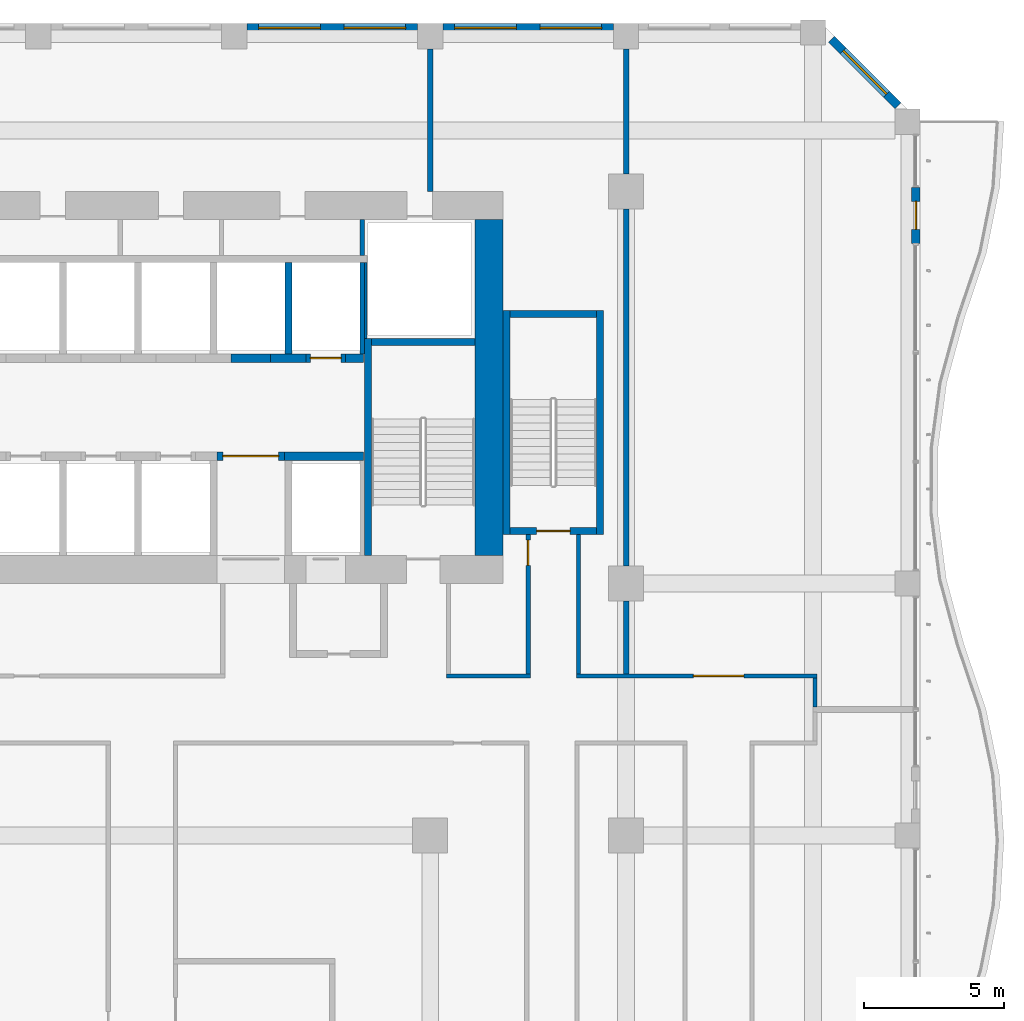
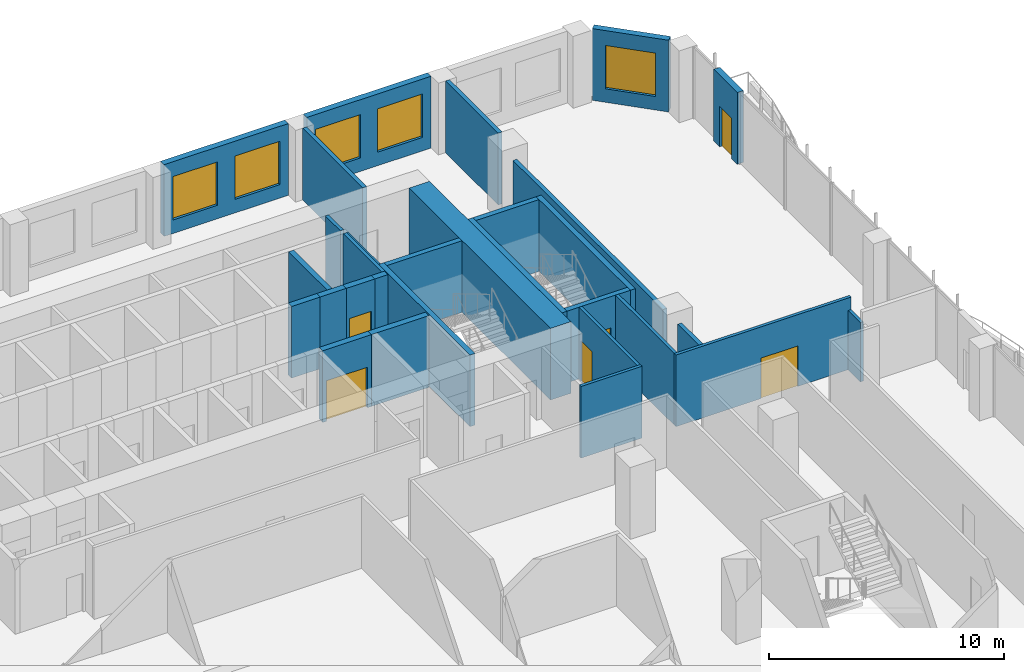
# One storey, part 16 of 26: 30 walls, 6 doors, 5 windows, 11 openings.
"""IFC4 building model written with IfcOpenShell, lengths in metres."""

from ifc_helpers import new_model, si_unit, direction, frame, frame_2d, origin, place, context, subcontext, project, spatial, rectangle, extrude, source, transform, mapped, material, layer, layer_set, type_object, element, fill, save


model = new_model("IFC4")

# Units and contexts
model_context = context("Model", 3, precision=1e-05, world=origin(), true_north=direction((0.0, 1.0)))
body_context = subcontext(model_context, "Body", "Model", "MODEL_VIEW")
ifc_project = project(units=[si_unit("LENGTHUNIT", "METRE"), si_unit("AREAUNIT", "SQUARE_METRE"), si_unit("VOLUMEUNIT", "CUBIC_METRE"), si_unit("PLANEANGLEUNIT", "RADIAN"), si_unit("MASSUNIT", "GRAM", prefix="KILO")], contexts=[model_context])

# Site, building, storey
site_placement = place(None, origin())
site = spatial("IfcSite", under=ifc_project, at=site_placement, CompositionType="ELEMENT")
building_placement = place(site_placement, origin())
building = spatial("IfcBuilding", under=site, at=building_placement, Name="Kilnfold Tower and Market Hall", CompositionType="ELEMENT")
storey_placement = place(building_placement, frame((0.0, 0.0, 83.199951171875)))
storey = spatial("IfcBuildingStorey", under=building, at=storey_placement, Name="L19", CompositionType="ELEMENT", Elevation=83.199951171875)

# Wall
ifc_material_1 = material(Name="Gypsum board on steel studs", Category="steel")
ifc_layer_1 = layer(ifc_material_1, 0.14990234375)
ifc_layer_set_1 = layer_set([ifc_layer_1], Name="Gypsum board on steel studs")
wall_type_1 = type_object("IfcWallType", Name="WALL CORRIDOR 150", PredefinedType="PARTITIONING", material=ifc_layer_set_1)
wall_1_placement = place(storey_placement, frame((16.074951171875, 4.699951171875, 0.0), z_axis=(0.0, 0.0, 1.0), x_axis=(1.0, 0.0, 0.0)))
element("IfcWall", 1, at=wall_1_placement, inside=storey, type_object=wall_type_1, Name="Partition LY13.26", PredefinedType="PARTITIONING", context=body_context, shape_type="SweptSolid", body=[
    extrude(rectangle(XDim=3.0, YDim=0.14990234375, at=frame_2d((1.5, 0.0))), origin(), (0.0, 0.0, 1.0), 3.719970703125),
])

# Wall, opening, door
wall_2_placement = place(storey_placement, frame((19.0, 9.75, 0.0), z_axis=(0.0, 0.0, 1.0), x_axis=(0.0, -1.0, 0.0)))
wall_2 = element("IfcWall", 2, at=wall_2_placement, inside=storey, type_object=wall_type_1, Name="Partition LY13.27", PredefinedType="PARTITIONING", context=body_context, shape_type="SweptSolid", body=[
    extrude(rectangle(XDim=4.97509765625, YDim=0.14990234375, at=frame_2d((2.487548828125, 0.0))), origin(), (0.0, 0.0, 1.0), 3.719970703125),
])
opening_1_placement = place(wall_2_placement, frame((0.199951171875, 0.0, 0.0)))
opening_1 = element("IfcOpeningElement", 3, at=opening_1_placement, cuts=wall_2, Name="Opening D2", PredefinedType="OPENING", context=body_context, shape_type="SweptSolid", body=[
    extrude(rectangle(XDim=0.89990234375, YDim=2.10009765625, at=frame_2d((0.449951171875, 1.050048828125))), frame((0.0, 0.0849609375, 0.0), z_axis=(0.0, -1.0, 0.0), x_axis=(1.0, 0.0, 0.0)), (0.0, 0.0, 1.0), 0.169921875),
])
ifc_material_2 = material(Name="Timber veneer door leaf in steel frame", Category="steel")
door_type_1 = type_object("IfcDoorType", Name="DOOR ROOM 900 X2100", OperationType="NOTDEFINED", PredefinedType="DOOR", material=ifc_material_2)
door_1_placement = place(opening_1_placement, origin())
door_1 = element("IfcDoor", 4, at=door_1_placement, inside=storey, type_object=door_type_1, Name="Door D2", OperationType="SINGLE_SWING_LEFT", OverallHeight=2.10009765625, OverallWidth=0.89990234375, PredefinedType="DOOR", context=body_context, shape_type="SweptSolid", body=[
    extrude(rectangle(XDim=0.89990234375, YDim=2.10009765625, at=frame_2d((0.449951171875, 1.050048828125))), frame((0.0, 0.02490234375, 0.0), z_axis=(0.0, -1.0, 0.0), x_axis=(1.0, 0.0, 0.0)), (0.0, 0.0, 1.0), 0.050048828125),
])
fill(opening_1, door_1)

# Wall
wall_3_placement = place(storey_placement, frame((20.800048828125, 4.77490234375, 0.0), z_axis=(0.0, 0.0, 1.0), x_axis=(0.0, 1.0, 0.0)))
element("IfcWall", 5, at=wall_3_placement, inside=storey, type_object=wall_type_1, Name="Partition LY13.28", PredefinedType="PARTITIONING", context=body_context, shape_type="SweptSolid", body=[
    extrude(rectangle(XDim=4.97509765625, YDim=0.14990234375, at=frame_2d((2.487548828125, 0.0))), origin(), (0.0, 0.0, 1.0), 3.719970703125),
])

# Wall, opening, door
wall_4_placement = place(storey_placement, frame((20.72509765625, 4.699951171875, 0.0), z_axis=(0.0, 0.0, 1.0), x_axis=(1.0, 0.0, 0.0)))
wall_4 = element("IfcWall", 6, at=wall_4_placement, inside=storey, type_object=wall_type_1, Name="Partition LY13.29", PredefinedType="PARTITIONING", context=body_context, shape_type="SweptSolid", body=[
    extrude(rectangle(XDim=8.599853515625, YDim=0.14990234375, at=frame_2d((4.2998046875, 0.0))), origin(), (0.0, 0.0, 1.0), 3.719970703125),
])
opening_2_placement = place(wall_4_placement, frame((4.181884765625, 0.0, 0.0)))
opening_2 = element("IfcOpeningElement", 7, at=opening_2_placement, cuts=wall_4, Name="Opening D5", PredefinedType="OPENING", context=body_context, shape_type="SweptSolid", body=[
    extrude(rectangle(XDim=1.800048828125, YDim=2.10009765625, at=frame_2d((0.89990234375, 1.050048828125))), frame((0.0, 0.0849609375, 0.0), z_axis=(0.0, -1.0, 0.0), x_axis=(1.0, 0.0, 0.0)), (0.0, 0.0, 1.0), 0.169921875),
])
ifc_material_3 = material(Name="Timber veneer door leaf in steel frame", Category="steel")
door_type_2 = type_object("IfcDoorType", Name="DOOR DOUBLE 1800 X2100", OperationType="NOTDEFINED", PredefinedType="DOOR", material=ifc_material_3)
door_2_placement = place(opening_2_placement, origin())
door_2 = element("IfcDoor", 8, at=door_2_placement, inside=storey, type_object=door_type_2, Name="Door D5", OperationType="DOUBLE_DOOR_SINGLE_SWING", OverallHeight=2.10009765625, OverallWidth=1.800048828125, PredefinedType="DOOR", context=body_context, shape_type="SweptSolid", body=[
    extrude(rectangle(XDim=1.800048828125, YDim=2.10009765625, at=frame_2d((0.89990234375, 1.050048828125))), frame((0.0, 0.02490234375, 0.0), z_axis=(0.0, -1.0, 0.0), x_axis=(1.0, 0.0, 0.0)), (0.0, 0.0, 1.0), 0.050048828125),
])
fill(opening_2, door_2)

# Walls
wall_5_placement = place(storey_placement, frame((29.25, 3.590087890625, 0.0), z_axis=(0.0, 0.0, 1.0), x_axis=(0.0, 1.0, 0.0)))
element("IfcWall", 9, at=wall_5_placement, inside=storey, type_object=wall_type_1, Name="Partition LY13.30", PredefinedType="PARTITIONING", context=body_context, shape_type="SweptSolid", body=[
    extrude(rectangle(XDim=1.034912109375, YDim=0.14990234375, at=frame_2d((0.517578125, 0.0))), origin(), (0.0, 0.0, 1.0), 3.070068359375),
])
ifc_material_4 = material(Name="Gypsum board on steel studs", Category="steel")
ifc_layer_2 = layer(ifc_material_4, 0.199951171875)
ifc_layer_set_2 = layer_set([ifc_layer_2], Name="Gypsum board on steel studs")
wall_type_2 = type_object("IfcWallType", Name="WALL PARTY 200", PredefinedType="PARTITIONING", material=ifc_layer_set_2)
wall_6_placement = place(storey_placement, frame((15.5, 22.0, 0.0), z_axis=(0.0, 0.0, 1.0), x_axis=(0.0, 1.0, 0.0)))
element("IfcWall", 10, at=wall_6_placement, inside=storey, type_object=wall_type_2, Name="Partition LY13.42", PredefinedType="PARTITIONING", context=body_context, shape_type="SweptSolid", body=[
    extrude(rectangle(XDim=5.10009765625, YDim=0.199951171875, at=frame_2d((2.550048828125, 0.0))), origin(), (0.0, 0.0, 1.0), 3.719970703125),
])
wall_7_placement = place(storey_placement, frame((22.5, 22.625, 0.0), z_axis=(0.0, 0.0, 1.0), x_axis=(0.0, 1.0, 0.0)))
element("IfcWall", 11, at=wall_7_placement, inside=storey, type_object=wall_type_2, Name="Partition LY13.57", PredefinedType="PARTITIONING", context=body_context, shape_type="SweptSolid", body=[
    extrude(rectangle(XDim=4.47509765625, YDim=0.199951171875, at=frame_2d((2.237548828125, 0.0))), origin(), (0.0, 0.0, 1.0), 3.719970703125),
])
wall_8_placement = place(storey_placement, frame((22.5, 8.625, 0.0), z_axis=(0.0, 0.0, 1.0), x_axis=(0.0, 1.0, 0.0)))
element("IfcWall", 12, at=wall_8_placement, inside=storey, type_object=wall_type_2, Name="Partition LY13.58", PredefinedType="PARTITIONING", context=body_context, shape_type="SweptSolid", body=[
    extrude(rectangle(XDim=12.75, YDim=0.199951171875, at=frame_2d((6.375, 0.0))), origin(), (0.0, 0.0, 1.0), 3.070068359375),
])
wall_9_placement = place(storey_placement, frame((22.5, 4.77587890625, 0.0), z_axis=(0.0, 0.0, 1.0), x_axis=(0.0, 1.0, 0.0)))
element("IfcWall", 13, at=wall_9_placement, inside=storey, type_object=wall_type_2, Name="Partition LY13.59", PredefinedType="PARTITIONING", context=body_context, shape_type="SweptSolid", body=[
    extrude(rectangle(XDim=2.59912109375, YDim=0.199951171875, at=frame_2d((1.299560546875, 0.0))), origin(), (0.0, 0.0, 1.0), 3.070068359375),
])
ifc_material_5 = material(Name="Concrete C80", Category="concrete")
ifc_layer_3 = layer(ifc_material_5, 1.0)
ifc_layer_set_3 = layer_set([ifc_layer_3], Name="Concrete C80")
wall_type_3 = type_object("IfcWallType", Name="CORE WALL 1000 C80", PredefinedType="SHEAR", material=ifc_layer_set_3)
shared_shape_1 = source(origin(), body_context, "Body", "SweptSolid", [
    extrude(rectangle(XDim=12.0, YDim=1.0, at=frame_2d((6.0, 0.0))), origin(), (0.0, 0.0, 1.0), 3.719970703125),
])
wall_10_placement = place(storey_placement, frame((17.60009765625, 9.0, 0.0), z_axis=(0.0, 0.0, 1.0), x_axis=(0.0, 1.0, 0.0)))
element("IfcWall", 14, at=wall_10_placement, inside=storey, type_object=wall_type_3, Name="Core outer wall east", PredefinedType="SHEAR", context=body_context, shape_type="MappedRepresentation", body=[
    mapped(shared_shape_1, transform((0.0, 0.0, 0.0))),
])
ifc_material_6 = material(Name="Concrete C80", Category="concrete")
ifc_layer_4 = layer(ifc_material_6, 0.25)
ifc_layer_set_4 = layer_set([ifc_layer_4], Name="Concrete C80")
wall_type_4 = type_object("IfcWallType", Name="CORE WALL 250 C80", PredefinedType="SHEAR", material=ifc_layer_set_4)
shared_shape_2 = source(origin(), body_context, "Body", "SweptSolid", [
    extrude(rectangle(XDim=7.75, YDim=0.25, at=frame_2d((3.875, 0.0))), origin(), (0.0, 0.0, 1.0), 3.719970703125),
])
wall_11_placement = place(storey_placement, frame((13.27490234375, 9.0, 0.0), z_axis=(0.0, 0.0, 1.0), x_axis=(0.0, 1.0, 0.0)))
element("IfcWall", 15, at=wall_11_placement, inside=storey, type_object=wall_type_4, Name="Stair enclosure ST2", PredefinedType="SHEAR", context=body_context, shape_type="MappedRepresentation", body=[
    mapped(shared_shape_2, transform((0.0, 0.0, 0.0))),
])
shared_shape_3 = source(origin(), body_context, "Body", "SweptSolid", [
    extrude(rectangle(XDim=3.7001953125, YDim=0.25, at=frame_2d((1.85009765625, 0.0))), origin(), (0.0, 0.0, 1.0), 3.719970703125),
])
wall_12_placement = place(storey_placement, frame((13.39990234375, 16.625, 0.0), z_axis=(0.0, 0.0, 1.0), x_axis=(1.0, 0.0, 0.0)))
element("IfcWall", 16, at=wall_12_placement, inside=storey, type_object=wall_type_4, Name="Stair enclosure ST2", PredefinedType="SHEAR", context=body_context, shape_type="MappedRepresentation", body=[
    mapped(shared_shape_3, transform((0.0, 0.0, 0.0))),
])
shared_shape_4 = source(origin(), body_context, "Body", "SweptSolid", [
    extrude(rectangle(XDim=8.0, YDim=0.25, at=frame_2d((4.0, 0.0))), origin(), (0.0, 0.0, 1.0), 3.719970703125),
])
for number, where, z_axis, x_axis, name in (
    (17, (18.22509765625, 9.75, 0.0), (0.0, 0.0, 1.0), (0.0, 1.0, 0.0), "Stair enclosure ST5"),
    (18, (21.574951171875, 9.75, 0.0), (0.0, 0.0, 1.0), (0.0, 1.0, 0.0), "Stair enclosure ST5"),
):
    element("IfcWall", number, at=place(storey_placement, frame(where, z_axis=z_axis, x_axis=x_axis)), inside=storey, type_object=wall_type_4, Name=name, PredefinedType="SHEAR", context=body_context, shape_type="MappedRepresentation", body=[
        mapped(shared_shape_4, transform((0.0, 0.0, 0.0))),
    ])

# Wall, opening, door
shared_shape_5 = source(origin(), body_context, "Body", "SweptSolid", [
    extrude(rectangle(XDim=3.099853515625, YDim=0.25, at=frame_2d((1.5498046875, 0.0))), origin(), (0.0, 0.0, 1.0), 3.719970703125),
])
wall_13_placement = place(storey_placement, frame((18.35009765625, 9.875, 0.0), z_axis=(0.0, 0.0, 1.0), x_axis=(1.0, 0.0, 0.0)))
wall_13 = element("IfcWall", 19, at=wall_13_placement, inside=storey, type_object=wall_type_4, Name="Stair enclosure ST5", PredefinedType="SHEAR", context=body_context, shape_type="MappedRepresentation", body=[
    mapped(shared_shape_5, transform((0.0, 0.0, 0.0))),
])
opening_3_placement = place(wall_13_placement, frame((0.949951171875, 0.0, 0.0)))
opening_3 = element("IfcOpeningElement", 20, at=opening_3_placement, cuts=wall_13, Name="Opening SD1", PredefinedType="OPENING", context=body_context, shape_type="SweptSolid", body=[
    extrude(rectangle(XDim=1.199951171875, YDim=2.10009765625, at=frame_2d((0.60009765625, 1.050048828125))), frame((0.0, 0.135009765625, 0.0), z_axis=(0.0, -1.0, 0.0), x_axis=(1.0, 0.0, 0.0)), (0.0, 0.0, 1.0), 0.27001953125),
])
ifc_material_7 = material(Name="Steel door set with fire-resisting leaf", Category="steel")
door_type_3 = type_object("IfcDoorType", Name="STAIR FLOOR DOOR 1200X2100", OperationType="NOTDEFINED", PredefinedType="DOOR", material=ifc_material_7)
door_3_placement = place(opening_3_placement, origin())
door_3 = element("IfcDoor", 21, at=door_3_placement, inside=storey, type_object=door_type_3, Name="Exit stair ST5 door", OperationType="DOUBLE_DOOR_SINGLE_SWING", OverallHeight=2.10009765625, OverallWidth=1.199951171875, PredefinedType="DOOR", context=body_context, shape_type="SweptSolid", body=[
    extrude(rectangle(XDim=1.199951171875, YDim=2.10009765625, at=frame_2d((0.60009765625, 1.050048828125))), frame((0.0, 0.02490234375, 0.0), z_axis=(0.0, -1.0, 0.0), x_axis=(1.0, 0.0, 0.0)), (0.0, 0.0, 1.0), 0.050048828125),
])
fill(opening_3, door_3)

# Walls
wall_14_placement = place(storey_placement, frame((18.35009765625, 17.625, 0.0), z_axis=(0.0, 0.0, 1.0), x_axis=(1.0, 0.0, 0.0)))
element("IfcWall", 22, at=wall_14_placement, inside=storey, type_object=wall_type_4, Name="Stair enclosure ST5", PredefinedType="SHEAR", context=body_context, shape_type="MappedRepresentation", body=[
    mapped(shared_shape_5, transform((0.0, 0.0, 0.0))),
])
ifc_material_8 = material(Name="Concrete C80", Category="concrete")
ifc_layer_5 = layer(ifc_material_8, 0.300048828125)
ifc_layer_set_5 = layer_set([ifc_layer_5], Name="Concrete C80")
wall_type_5 = type_object("IfcWallType", Name="CORE WALL 300 C80", PredefinedType="SHEAR", material=ifc_layer_set_5)
shared_shape_6 = source(origin(), body_context, "Body", "SweptSolid", [
    extrude(rectangle(XDim=1.280029296875, YDim=0.300048828125, at=frame_2d((0.64013671875, 0.0))), origin(), (0.0, 0.0, 1.0), 3.719970703125),
])
wall_15_placement = place(storey_placement, frame((9.7900390625, 16.050048828125, 0.0), z_axis=(0.0, 0.0, 1.0), x_axis=(1.0, 0.0, 0.0)))
element("IfcWall", 23, at=wall_15_placement, inside=storey, type_object=wall_type_5, Name="Core spine wall", PredefinedType="SHEAR", context=body_context, shape_type="MappedRepresentation", body=[
    mapped(shared_shape_6, transform((0.0, 0.0, 0.0))),
])
shared_shape_7 = source(origin(), body_context, "Body", "SweptSolid", [
    extrude(rectangle(XDim=2.820068359375, YDim=0.300048828125, at=frame_2d((1.41015625, 0.0))), origin(), (0.0, 0.0, 1.0), 3.719970703125),
])
wall_16_placement = place(storey_placement, frame((10.2900390625, 12.550048828125, 0.0), z_axis=(0.0, 0.0, 1.0), x_axis=(1.0, 0.0, 0.0)))
element("IfcWall", 24, at=wall_16_placement, inside=storey, type_object=wall_type_5, Name="Core spine wall", PredefinedType="SHEAR", context=body_context, shape_type="MappedRepresentation", body=[
    mapped(shared_shape_7, transform((0.0, 0.0, 0.0))),
])
shared_shape_8 = source(origin(), body_context, "Body", "SweptSolid", [
    extrude(rectangle(XDim=0.64013671875, YDim=0.300048828125, at=frame_2d((0.320068359375, 0.0))), origin(), (0.0, 0.0, 1.0), 3.719970703125),
])
wall_17_placement = place(storey_placement, frame((12.469970703125, 16.050048828125, 0.0), z_axis=(0.0, 0.0, 1.0), x_axis=(1.0, 0.0, 0.0)))
element("IfcWall", 25, at=wall_17_placement, inside=storey, type_object=wall_type_5, Name="Core spine wall", PredefinedType="SHEAR", context=body_context, shape_type="MappedRepresentation", body=[
    mapped(shared_shape_8, transform((0.0, 0.0, 0.0))),
])

# Wall, opening, door
ifc_material_9 = material(Name="Precast concrete C50/60", Category="concrete")
ifc_layer_6 = layer(ifc_material_9, 0.300048828125)
ifc_layer_set_6 = layer_set([ifc_layer_6], Name="Precast concrete C50/60")
wall_type_6 = type_object("IfcWallType", Name="PRECAST WALL 300", PredefinedType="SOLIDWALL", material=ifc_layer_set_6)
shared_shape_9 = source(origin(), body_context, "Body", "SweptSolid", [
    extrude(rectangle(XDim=2.0, YDim=0.300048828125, at=frame_2d((1.0, 0.0))), origin(), (0.0, 0.0, 1.0), 3.719970703125),
])
wall_18_placement = place(storey_placement, frame((32.85009765625, 20.14990234375, 0.0), z_axis=(0.0, 0.0, 1.0), x_axis=(0.0, 1.0, 0.0)))
wall_18 = element("IfcWall", 26, at=wall_18_placement, inside=storey, type_object=wall_type_6, Name="External wall L19 E", PredefinedType="SOLIDWALL", context=body_context, shape_type="MappedRepresentation", body=[
    mapped(shared_shape_9, transform((0.0, 0.0, 0.0))),
])
opening_4_placement = place(wall_18_placement, frame((0.5, 0.0, 0.0)))
opening_4 = element("IfcOpeningElement", 27, at=opening_4_placement, cuts=wall_18, Name="Opening BD1", PredefinedType="OPENING", context=body_context, shape_type="SweptSolid", body=[
    extrude(rectangle(XDim=1.0, YDim=2.10009765625, at=frame_2d((0.5, 1.050048828125))), frame((0.0, 0.16015625, 0.0), z_axis=(0.0, -1.0, 0.0), x_axis=(1.0, 0.0, 0.0)), (0.0, 0.0, 1.0), 0.320068359375),
])
ifc_material_10 = material(Name="Aluminium frame and double glazing", Category="aluminium")
door_type_4 = type_object("IfcDoorType", Name="BALCONY DOOR 1000X2100", OperationType="NOTDEFINED", PredefinedType="DOOR", material=ifc_material_10)
door_4_placement = place(opening_4_placement, origin())
door_4 = element("IfcDoor", 28, at=door_4_placement, inside=storey, type_object=door_type_4, Name="Balcony door BD1 L19 E-4", OperationType="SINGLE_SWING_RIGHT", OverallHeight=2.10009765625, OverallWidth=1.0, PredefinedType="DOOR", context=body_context, shape_type="SweptSolid", body=[
    extrude(rectangle(XDim=1.0, YDim=2.10009765625, at=frame_2d((0.5, 1.050048828125))), frame((0.0, 0.02490234375, 0.0), z_axis=(0.0, -1.0, 0.0), x_axis=(1.0, 0.0, 0.0)), (0.0, 0.0, 1.0), 0.050048828125),
])
fill(opening_4, door_4)

# Wall, opening, window
shared_shape_10 = source(origin(), body_context, "Body", "SweptSolid", [
    extrude(rectangle(XDim=3.35888671875, YDim=0.300048828125, at=frame_2d((1.679443359375, 0.0))), origin(), (0.0, 0.0, 1.0), 3.719970703125),
])
wall_19_placement = place(storey_placement, frame((32.218994140625, 25.06884765625, 0.0), z_axis=(0.0, 0.0, 1.0), x_axis=(-0.707070438228, 0.707143122278, 0.0)))
wall_19 = element("IfcWall", 29, at=wall_19_placement, inside=storey, type_object=wall_type_6, Name="External wall L19 NE", PredefinedType="SOLIDWALL", context=body_context, shape_type="MappedRepresentation", body=[
    mapped(shared_shape_10, transform((0.0, 0.0, 0.0))),
])
opening_5_placement = place(wall_19_placement, frame((0.579345703125, 0.0, 0.699951171875)))
opening_5 = element("IfcOpeningElement", 30, at=opening_5_placement, cuts=wall_19, Name="Opening W1", PredefinedType="OPENING", context=body_context, shape_type="SweptSolid", body=[
    extrude(rectangle(XDim=2.199951171875, YDim=2.25, at=frame_2d((1.10009765625, 1.125))), frame((0.0, 0.16015625, 0.0), z_axis=(0.0, -1.0, 0.0), x_axis=(1.0, 0.0, 0.0)), (0.0, 0.0, 1.0), 0.320068359375),
])
ifc_material_11 = material(Name="Aluminium frame and double glazing", Category="aluminium")
window_type = type_object("IfcWindowType", Name="WINDOW W1 2200X2250", PartitioningType="SINGLE_PANEL", PredefinedType="WINDOW", material=ifc_material_11)
window_1_placement = place(opening_5_placement, origin())
window_1 = element("IfcWindow", 31, at=window_1_placement, inside=storey, type_object=window_type, Name="Window W1 L19 NE-1", OverallHeight=2.25, OverallWidth=2.199951171875, PartitioningType="SINGLE_PANEL", PredefinedType="WINDOW", context=body_context, shape_type="SweptSolid", body=[
    extrude(rectangle(XDim=2.199951171875, YDim=2.25, at=frame_2d((1.10009765625, 1.125))), frame((0.0, 0.030029296875, 0.0), z_axis=(0.0, -1.0, 0.0), x_axis=(1.0, 0.0, 0.0)), (0.0, 0.0, 1.0), 0.06005859375),
])
fill(opening_5, window_1)

# Wall, openings, windows
shared_shape_11 = source(origin(), body_context, "Body", "SweptSolid", [
    extrude(rectangle(XDim=6.10009765625, YDim=0.300048828125, at=frame_2d((3.050048828125, 0.0))), origin(), (0.0, 0.0, 1.0), 3.719970703125),
])
wall_20_placement = place(storey_placement, frame((22.050048828125, 27.85009765625, 0.0), z_axis=(0.0, 0.0, 1.0), x_axis=(-1.0, 0.0, 0.0)))
wall_20 = element("IfcWall", 32, at=wall_20_placement, inside=storey, type_object=wall_type_6, Name="External wall L19 N", PredefinedType="SOLIDWALL", context=body_context, shape_type="MappedRepresentation", body=[
    mapped(shared_shape_11, transform((0.0, 0.0, 0.0))),
])
opening_6_placement = place(wall_20_placement, frame((0.425048828125, 0.0, 0.699951171875)))
opening_6 = element("IfcOpeningElement", 33, at=opening_6_placement, cuts=wall_20, Name="Opening W1", PredefinedType="OPENING", context=body_context, shape_type="SweptSolid", body=[
    extrude(rectangle(XDim=2.199951171875, YDim=2.25, at=frame_2d((1.10009765625, 1.125))), frame((0.0, 0.16015625, 0.0), z_axis=(0.0, -1.0, 0.0), x_axis=(1.0, 0.0, 0.0)), (0.0, 0.0, 1.0), 0.320068359375),
])
opening_7_placement = place(wall_20_placement, frame((3.47509765625, 0.0, 0.699951171875)))
opening_7 = element("IfcOpeningElement", 34, at=opening_7_placement, cuts=wall_20, Name="Opening W1", PredefinedType="OPENING", context=body_context, shape_type="SweptSolid", body=[
    extrude(rectangle(XDim=2.199951171875, YDim=2.25, at=frame_2d((1.10009765625, 1.125))), frame((0.0, 0.16015625, 0.0), z_axis=(0.0, -1.0, 0.0), x_axis=(1.0, 0.0, 0.0)), (0.0, 0.0, 1.0), 0.320068359375),
])
window_2_placement = place(opening_6_placement, origin())
window_2 = element("IfcWindow", 35, at=window_2_placement, inside=storey, type_object=window_type, Name="Window W1 L19 N-1", OverallHeight=2.25, OverallWidth=2.199951171875, PartitioningType="SINGLE_PANEL", PredefinedType="WINDOW", context=body_context, shape_type="SweptSolid", body=[
    extrude(rectangle(XDim=2.199951171875, YDim=2.25, at=frame_2d((1.10009765625, 1.125))), frame((0.0, 0.030029296875, 0.0), z_axis=(0.0, -1.0, 0.0), x_axis=(1.0, 0.0, 0.0)), (0.0, 0.0, 1.0), 0.06005859375),
])
fill(opening_6, window_2)
window_3_placement = place(opening_7_placement, origin())
window_3 = element("IfcWindow", 36, at=window_3_placement, inside=storey, type_object=window_type, Name="Window W1 L19 N-2", OverallHeight=2.25, OverallWidth=2.199951171875, PartitioningType="SINGLE_PANEL", PredefinedType="WINDOW", context=body_context, shape_type="SweptSolid", body=[
    extrude(rectangle(XDim=2.199951171875, YDim=2.25, at=frame_2d((1.10009765625, 1.125))), frame((0.0, 0.030029296875, 0.0), z_axis=(0.0, -1.0, 0.0), x_axis=(1.0, 0.0, 0.0)), (0.0, 0.0, 1.0), 0.06005859375),
])
fill(opening_7, window_3)

wall_21_placement = place(storey_placement, frame((15.050048828125, 27.85009765625, 0.0), z_axis=(0.0, 0.0, 1.0), x_axis=(-1.0, 0.0, 0.0)))
wall_21 = element("IfcWall", 37, at=wall_21_placement, inside=storey, type_object=wall_type_6, Name="External wall L19 N", PredefinedType="SOLIDWALL", context=body_context, shape_type="MappedRepresentation", body=[
    mapped(shared_shape_11, transform((0.0, 0.0, 0.0))),
])
opening_8_placement = place(wall_21_placement, frame((0.425048828125, 0.0, 0.699951171875)))
opening_8 = element("IfcOpeningElement", 38, at=opening_8_placement, cuts=wall_21, Name="Opening W1", PredefinedType="OPENING", context=body_context, shape_type="SweptSolid", body=[
    extrude(rectangle(XDim=2.199951171875, YDim=2.25, at=frame_2d((1.10009765625, 1.125))), frame((0.0, 0.16015625, 0.0), z_axis=(0.0, -1.0, 0.0), x_axis=(1.0, 0.0, 0.0)), (0.0, 0.0, 1.0), 0.320068359375),
])
opening_9_placement = place(wall_21_placement, frame((3.47509765625, 0.0, 0.699951171875)))
opening_9 = element("IfcOpeningElement", 39, at=opening_9_placement, cuts=wall_21, Name="Opening W1", PredefinedType="OPENING", context=body_context, shape_type="SweptSolid", body=[
    extrude(rectangle(XDim=2.199951171875, YDim=2.25, at=frame_2d((1.10009765625, 1.125))), frame((0.0, 0.16015625, 0.0), z_axis=(0.0, -1.0, 0.0), x_axis=(1.0, 0.0, 0.0)), (0.0, 0.0, 1.0), 0.320068359375),
])
window_4_placement = place(opening_8_placement, origin())
window_4 = element("IfcWindow", 40, at=window_4_placement, inside=storey, type_object=window_type, Name="Window W1 L19 N-1", OverallHeight=2.25, OverallWidth=2.199951171875, PartitioningType="SINGLE_PANEL", PredefinedType="WINDOW", context=body_context, shape_type="SweptSolid", body=[
    extrude(rectangle(XDim=2.199951171875, YDim=2.25, at=frame_2d((1.10009765625, 1.125))), frame((0.0, 0.030029296875, 0.0), z_axis=(0.0, -1.0, 0.0), x_axis=(1.0, 0.0, 0.0)), (0.0, 0.0, 1.0), 0.06005859375),
])
fill(opening_8, window_4)
window_5_placement = place(opening_9_placement, origin())
window_5 = element("IfcWindow", 41, at=window_5_placement, inside=storey, type_object=window_type, Name="Window W1 L19 N-2", OverallHeight=2.25, OverallWidth=2.199951171875, PartitioningType="SINGLE_PANEL", PredefinedType="WINDOW", context=body_context, shape_type="SweptSolid", body=[
    extrude(rectangle(XDim=2.199951171875, YDim=2.25, at=frame_2d((1.10009765625, 1.125))), frame((0.0, 0.030029296875, 0.0), z_axis=(0.0, -1.0, 0.0), x_axis=(1.0, 0.0, 0.0)), (0.0, 0.0, 1.0), 0.06005859375),
])
fill(opening_9, window_5)

# Wall, opening, door
ifc_material_12 = material(Name="Gypsum shaft wall system")
ifc_layer_7 = layer(ifc_material_12, 0.300048828125)
ifc_layer_set_7 = layer_set([ifc_layer_7], Name="Gypsum shaft wall system")
wall_type_7 = type_object("IfcWallType", Name="SHAFT WALL 300", PredefinedType="PARTITIONING", material=ifc_layer_set_7)
shared_shape_12 = source(origin(), body_context, "Body", "SweptSolid", [
    extrude(rectangle(XDim=1.39990234375, YDim=0.300048828125, at=frame_2d((0.699951171875, 0.0))), origin(), (0.0, 0.0, 1.0), 3.719970703125),
])
wall_22_placement = place(storey_placement, frame((11.070068359375, 16.050048828125, 0.0), z_axis=(0.0, 0.0, 1.0), x_axis=(1.0, 0.0, 0.0)))
wall_22 = element("IfcWall", 42, at=wall_22_placement, inside=storey, type_object=wall_type_7, Name="Lift shaft front wall", PredefinedType="PARTITIONING", context=body_context, shape_type="MappedRepresentation", body=[
    mapped(shared_shape_12, transform((0.0, 0.0, 0.0))),
])
opening_10_placement = place(wall_22_placement, frame((0.14990234375, 0.0, 0.0)))
opening_10 = element("IfcOpeningElement", 43, at=opening_10_placement, cuts=wall_22, Name="Opening LD2", PredefinedType="OPENING", context=body_context, shape_type="SweptSolid", body=[
    extrude(rectangle(XDim=1.10009765625, YDim=2.10009765625, at=frame_2d((0.550048828125, 1.050048828125))), frame((0.0, 0.16015625, 0.0), z_axis=(0.0, -1.0, 0.0), x_axis=(1.0, 0.0, 0.0)), (0.0, 0.0, 1.0), 0.320068359375),
])
ifc_material_13 = material(Name="Steel door set with fire-resisting leaf", Category="steel")
door_type_5 = type_object("IfcDoorType", Name="LANDING DOOR 1100X2100", OperationType="NOTDEFINED", PredefinedType="DOOR", material=ifc_material_13)
door_5_placement = place(opening_10_placement, origin())
door_5 = element("IfcDoor", 44, at=door_5_placement, inside=storey, type_object=door_type_5, Name="Landing door LR6", OperationType="DOUBLE_DOOR_SLIDING", OverallHeight=2.10009765625, OverallWidth=1.10009765625, PredefinedType="DOOR", context=body_context, shape_type="SweptSolid", body=[
    extrude(rectangle(XDim=1.10009765625, YDim=2.10009765625, at=frame_2d((0.550048828125, 1.050048828125))), frame((0.0, 0.02490234375, 0.0), z_axis=(0.0, -1.0, 0.0), x_axis=(1.0, 0.0, 0.0)), (0.0, 0.0, 1.0), 0.050048828125),
])
fill(opening_10, door_5)

# Wall
shared_shape_13 = source(origin(), body_context, "Body", "SweptSolid", [
    extrude(rectangle(XDim=1.400146484375, YDim=0.300048828125, at=frame_2d((0.7001953125, 0.0))), origin(), (0.0, 0.0, 1.0), 3.719970703125),
])
wall_23_placement = place(storey_placement, frame((8.389892578125, 16.050048828125, 0.0), z_axis=(0.0, 0.0, 1.0), x_axis=(1.0, 0.0, 0.0)))
element("IfcWall", 45, at=wall_23_placement, inside=storey, type_object=wall_type_7, Name="Lift shaft front wall", PredefinedType="PARTITIONING", context=body_context, shape_type="MappedRepresentation", body=[
    mapped(shared_shape_13, transform((0.0, 0.0, 0.0))),
])

# Wall, opening, door
shared_shape_14 = source(origin(), body_context, "Body", "SweptSolid", [
    extrude(rectangle(XDim=2.400146484375, YDim=0.300048828125, at=frame_2d((1.2001953125, 0.0))), origin(), (0.0, 0.0, 1.0), 3.719970703125),
])
wall_24_placement = place(storey_placement, frame((7.889892578125, 12.550048828125, 0.0), z_axis=(0.0, 0.0, 1.0), x_axis=(1.0, 0.0, 0.0)))
wall_24 = element("IfcWall", 46, at=wall_24_placement, inside=storey, type_object=wall_type_7, Name="Lift shaft front wall", PredefinedType="PARTITIONING", context=body_context, shape_type="MappedRepresentation", body=[
    mapped(shared_shape_14, transform((0.0, 0.0, 0.0))),
])
opening_11_placement = place(wall_24_placement, frame((0.199951171875, 0.0, 0.0)))
opening_11 = element("IfcOpeningElement", 47, at=opening_11_placement, cuts=wall_24, Name="Opening VD2", PredefinedType="OPENING", context=body_context, shape_type="SweptSolid", body=[
    extrude(rectangle(XDim=2.0, YDim=2.10009765625, at=frame_2d((1.0, 1.050048828125))), frame((0.0, 0.16015625, 0.0), z_axis=(0.0, -1.0, 0.0), x_axis=(1.0, 0.0, 0.0)), (0.0, 0.0, 1.0), 0.320068359375),
])
ifc_material_14 = material(Name="Steel door set with fire-resisting leaf", Category="steel")
door_type_6 = type_object("IfcDoorType", Name="LIFT LOBBY ENTRANCE DOOR 2000X2100", OperationType="NOTDEFINED", PredefinedType="DOOR", material=ifc_material_14)
door_6_placement = place(opening_11_placement, origin())
door_6 = element("IfcDoor", 48, at=door_6_placement, inside=storey, type_object=door_type_6, Name="Lift lobby entrance door", OperationType="DOUBLE_DOOR_SINGLE_SWING", OverallHeight=2.10009765625, OverallWidth=2.0, PredefinedType="DOOR", context=body_context, shape_type="SweptSolid", body=[
    extrude(rectangle(XDim=2.0, YDim=2.10009765625, at=frame_2d((1.0, 1.050048828125))), frame((0.0, 0.02490234375, 0.0), z_axis=(0.0, -1.0, 0.0), x_axis=(1.0, 0.0, 0.0)), (0.0, 0.0, 1.0), 0.050048828125),
])
fill(opening_11, door_6)

# Walls
ifc_material_15 = material(Name="Gypsum shaft wall system")
ifc_layer_8 = layer(ifc_material_15, 0.1650390625)
ifc_layer_set_8 = layer_set([ifc_layer_8], Name="Gypsum shaft wall system")
wall_type_8 = type_object("IfcWallType", Name="SHAFT WALL 165", PredefinedType="PARTITIONING", material=ifc_layer_set_8)
shared_shape_15 = source(origin(), body_context, "Body", "SweptSolid", [
    extrude(rectangle(XDim=3.275146484375, YDim=0.1650390625, at=frame_2d((1.6376953125, 0.0))), origin(), (0.0, 0.0, 1.0), 3.719970703125),
])
wall_25_placement = place(storey_placement, frame((13.0673828125, 16.199951171875, 0.0), z_axis=(0.0, 0.0, 1.0), x_axis=(0.0, 1.0, 0.0)))
element("IfcWall", 49, at=wall_25_placement, inside=storey, type_object=wall_type_8, Name="Lift shaft wall", PredefinedType="PARTITIONING", context=body_context, shape_type="MappedRepresentation", body=[
    mapped(shared_shape_15, transform((0.0, 0.0, 0.0))),
])
shared_shape_16 = source(origin(), body_context, "Body", "SweptSolid", [
    extrude(rectangle(XDim=1.27490234375, YDim=0.1650390625, at=frame_2d((0.637451171875, 0.0))), origin(), (0.0, 0.0, 1.0), 3.719970703125),
])
wall_26_placement = place(storey_placement, frame((13.0673828125, 19.72509765625, 0.0), z_axis=(0.0, 0.0, 1.0), x_axis=(0.0, 1.0, 0.0)))
element("IfcWall", 50, at=wall_26_placement, inside=storey, type_object=wall_type_8, Name="Lift shaft wall", PredefinedType="PARTITIONING", context=body_context, shape_type="MappedRepresentation", body=[
    mapped(shared_shape_16, transform((0.0, 0.0, 0.0))),
])
ifc_material_16 = material(Name="Gypsum shaft wall system")
ifc_layer_9 = layer(ifc_material_16, 0.25)
ifc_layer_set_9 = layer_set([ifc_layer_9], Name="Gypsum shaft wall system")
wall_type_9 = type_object("IfcWallType", Name="SHAFT WALL 250", PredefinedType="PARTITIONING", material=ifc_layer_set_9)
shared_shape_17 = source(origin(), body_context, "Body", "SweptSolid", [
    extrude(rectangle(XDim=3.275146484375, YDim=0.25, at=frame_2d((1.6376953125, 0.0))), origin(), (0.0, 0.0, 1.0), 3.719970703125),
])
wall_27_placement = place(storey_placement, frame((10.429931640625, 16.199951171875, 0.0), z_axis=(0.0, 0.0, 1.0), x_axis=(0.0, 1.0, 0.0)))
element("IfcWall", 51, at=wall_27_placement, inside=storey, type_object=wall_type_9, Name="Lift shaft wall", PredefinedType="PARTITIONING", context=body_context, shape_type="MappedRepresentation", body=[
    mapped(shared_shape_17, transform((0.0, 0.0, 0.0))),
])
ifc_material_17 = material(Name="Gypsum shaft wall system")
ifc_layer_10 = layer(ifc_material_17, 0.0849609375)
ifc_layer_set_10 = layer_set([ifc_layer_10], Name="Gypsum shaft wall system")
wall_type_10 = type_object("IfcWallType", Name="SHAFT WALL 85", PredefinedType="PARTITIONING", material=ifc_layer_set_10)
shared_shape_18 = source(origin(), body_context, "Body", "SweptSolid", [
    extrude(rectangle(XDim=2.72509765625, YDim=0.0849609375, at=frame_2d((1.362548828125, 0.0))), origin(), (0.0, 0.0, 1.0), 3.719970703125),
])
wall_28_placement = place(storey_placement, frame((13.1923828125, 16.75, 0.0), z_axis=(0.0, 0.0, 1.0), x_axis=(0.0, 1.0, 0.0)))
element("IfcWall", 52, at=wall_28_placement, inside=storey, type_object=wall_type_10, Name="Lift shaft wall", PredefinedType="PARTITIONING", context=body_context, shape_type="MappedRepresentation", body=[
    mapped(shared_shape_18, transform((0.0, 0.0, 0.0))),
])

save(model, "model.ifc")
